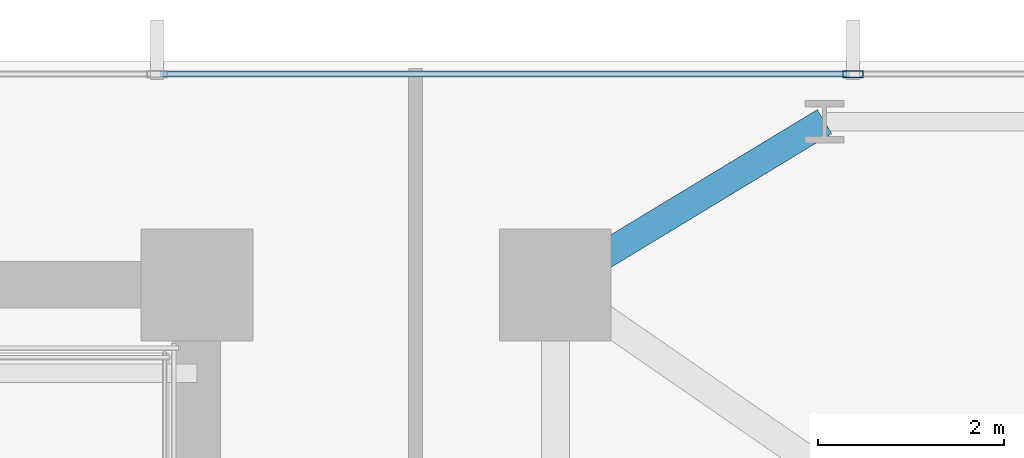
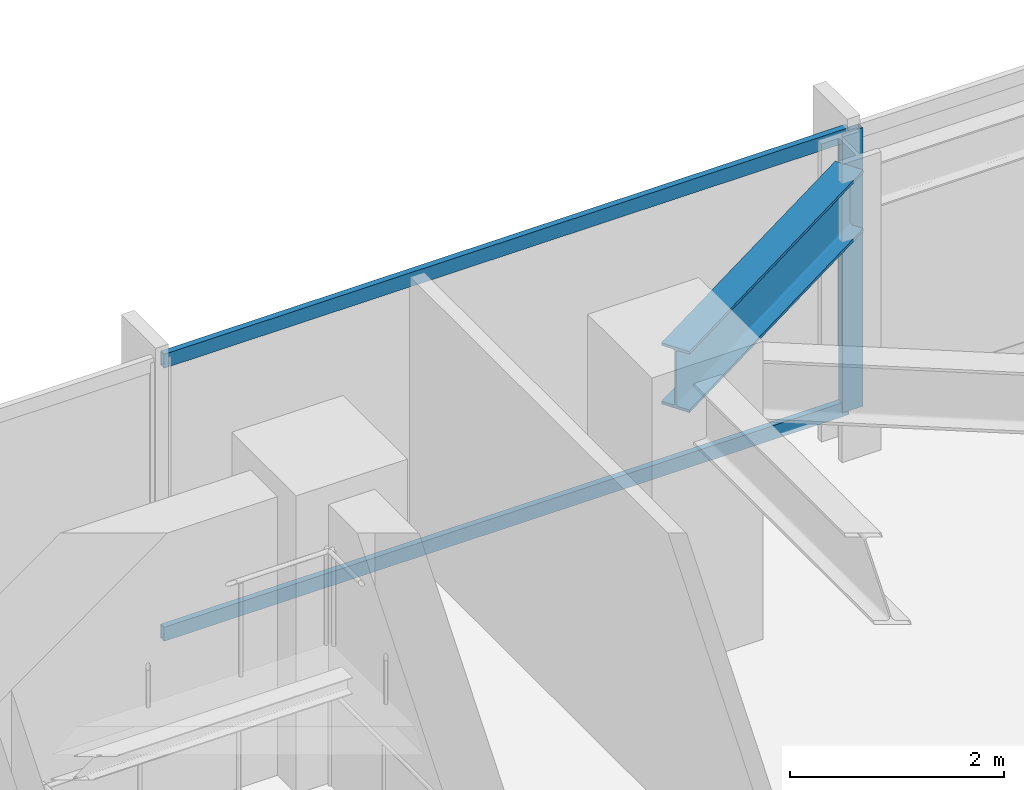
# One storey, part 20 of 33: 3 members, 1 beam, 1 element without a shape of its own.
"""IFC4 building model written with IfcOpenShell, lengths in metres."""

from ifc_helpers import new_model, si_unit, direction, frame, origin, origin_2d, place, context, subcontext, project, spatial, hollow_rectangle, i_section, extrude, material, material_profile, profile_set, type_object, element, aggregate, save


model = new_model("IFC4")

# Units and contexts
model_context = context("Model", 3, precision=1e-05, world=origin(), true_north=direction((0.0, 1.0)))
body_context = subcontext(model_context, "Body", "Model", "MODEL_VIEW")
ifc_project = project(units=[si_unit("LENGTHUNIT", "METRE"), si_unit("AREAUNIT", "SQUARE_METRE"), si_unit("VOLUMEUNIT", "CUBIC_METRE"), si_unit("PLANEANGLEUNIT", "RADIAN"), si_unit("MASSUNIT", "GRAM", prefix="KILO")], contexts=[model_context])

# Site, building, storey
site_placement = place(None, origin())
site = spatial("IfcSite", under=ifc_project, at=site_placement, CompositionType="ELEMENT")
building_placement = place(site_placement, origin())
building = spatial("IfcBuilding", under=site, at=building_placement, Name="Yelkora Congress Tower", CompositionType="ELEMENT")
storey_placement = place(building_placement, frame((0.0, 0.0, 37.199951171875)))
storey = spatial("IfcBuildingStorey", under=building, at=storey_placement, Name="L08", CompositionType="ELEMENT", Elevation=37.199951171875)

# Beam
ifc_material_1 = material(Name="Steel S355J2", Category="steel")
ifc_material_profile_1 = material_profile(ifc_material_1, i_section(OverallWidth=0.300048828125, OverallDepth=0.699951171875, WebThickness=0.01708984375, FlangeThickness=0.031982421875, FilletRadius=0.027099609375, at=origin_2d()), Name="HEB 700")
ifc_profile_set_1 = profile_set([ifc_material_profile_1], Name="Steel S355J2")
beam_type = type_object("IfcBeamType", Name="BM-GIRD-HEB700", PredefinedType="BEAM", material=ifc_profile_set_1)
beam_placement = place(storey_placement, frame((60.487548828125, 47.949951171875, 2.830078125), z_axis=(-0.855193946581, -0.518308126244, 0.0), x_axis=(0.518308126244, -0.855193946581, 0.0)))
element("IfcBeam", 1, at=beam_placement, inside=storey, type_object=beam_type, Name="L08 Primary Frame Girder N08", PredefinedType="BEAM", context=body_context, shape_type="SweptSolid", body=[
    extrude(i_section(OverallWidth=0.300048828125, OverallDepth=0.699951171875, WebThickness=0.01708984375, FlangeThickness=0.031982421875, FilletRadius=0.027099609375, at=origin_2d()), origin(), (0.0, 0.0, 1.0), 3.37646484375),
])

# Curtain wall, members
ifc_material_2 = material(Name="Anodised aluminium and insulated glass", Category="aluminium")
curtain_wall_type = type_object("IfcCurtainWallType", Name="CW-SYS-B1", PredefinedType="NOTDEFINED", material=ifc_material_2)
curtain_wall_placement = place(storey_placement, origin())
curtain_wall = element("IfcCurtainWall", 2, at=curtain_wall_placement, inside=storey, type_object=curtain_wall_type, Name="L08 Unitised Curtain Wall 10", PredefinedType="NOTDEFINED")
ifc_material_3 = material(Name="Anodised aluminium 6063-T6", Category="aluminium")
ifc_material_profile_2 = material_profile(ifc_material_3, hollow_rectangle(XDim=0.074951171875, YDim=0.219970703125, WallThickness=0.0048828125, at=origin_2d()), Name="ALU 75x220x5")
ifc_profile_set_2 = profile_set([ifc_material_profile_2], Name="Anodised aluminium 6063-T6")
member_type_1 = type_object("IfcMemberType", Name="MEM-ML-B1", PredefinedType="MULLION", material=ifc_profile_set_2)
member_1_placement = place(storey_placement, frame((60.794921875, 48.4599609375, 0.0), z_axis=(0.0, 0.0, 1.0), x_axis=(0.0, 1.0, 0.0)))
member_1 = element("IfcMember", 3, at=member_1_placement, type_object=member_type_1, Name="CW-B1 mullion 8", PredefinedType="MULLION", context=body_context, shape_type="SweptSolid", body=[
    extrude(hollow_rectangle(XDim=0.074951171875, YDim=0.219970703125, WallThickness=0.0048828125, at=origin_2d()), origin(), (0.0, 0.0, 1.0), 3.179931640625),
])
ifc_material_profile_3 = material_profile(ifc_material_3, hollow_rectangle(XDim=0.06494140625, YDim=0.159912109375, WallThickness=0.00390625, at=origin_2d()), Name="ALU 65x160x4")
ifc_profile_set_3 = profile_set([ifc_material_profile_3], Name="Anodised aluminium 6063-T6")
member_type_2 = type_object("IfcMemberType", Name="MEM-TR-B1", PredefinedType="USERDEFINED", material=ifc_profile_set_3)
member_2_placement = place(storey_placement, frame((53.367431640625, 48.4599609375, 0.032470703125), z_axis=(1.0, 0.0, 0.0), x_axis=(0.0, 1.0, 0.0)))
member_2 = element("IfcMember", 4, at=member_2_placement, type_object=member_type_2, Name="CW-B1 transom 7.1", ObjectType="TRANSOM", PredefinedType="USERDEFINED", context=body_context, shape_type="SweptSolid", body=[
    extrude(hollow_rectangle(XDim=0.06494140625, YDim=0.159912109375, WallThickness=0.00390625, at=origin_2d()), origin(), (0.0, 0.0, 1.0), 7.39013671875),
])
member_3_placement = place(storey_placement, frame((53.367431640625, 48.4599609375, 3.1474609375), z_axis=(1.0, 0.0, 0.0), x_axis=(0.0, 1.0, 0.0)))
member_3 = element("IfcMember", 5, at=member_3_placement, type_object=member_type_2, Name="CW-B1 transom 7.2", ObjectType="TRANSOM", PredefinedType="USERDEFINED", context=body_context, shape_type="SweptSolid", body=[
    extrude(hollow_rectangle(XDim=0.06494140625, YDim=0.159912109375, WallThickness=0.00390625, at=origin_2d()), origin(), (0.0, 0.0, 1.0), 7.39013671875),
])
aggregate(curtain_wall, [member_1, member_2, member_3])

save(model, "model.ifc")
